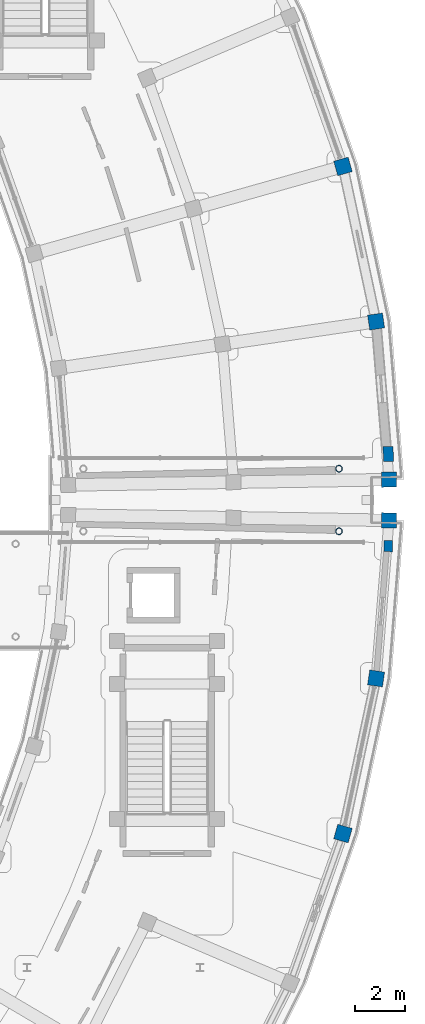
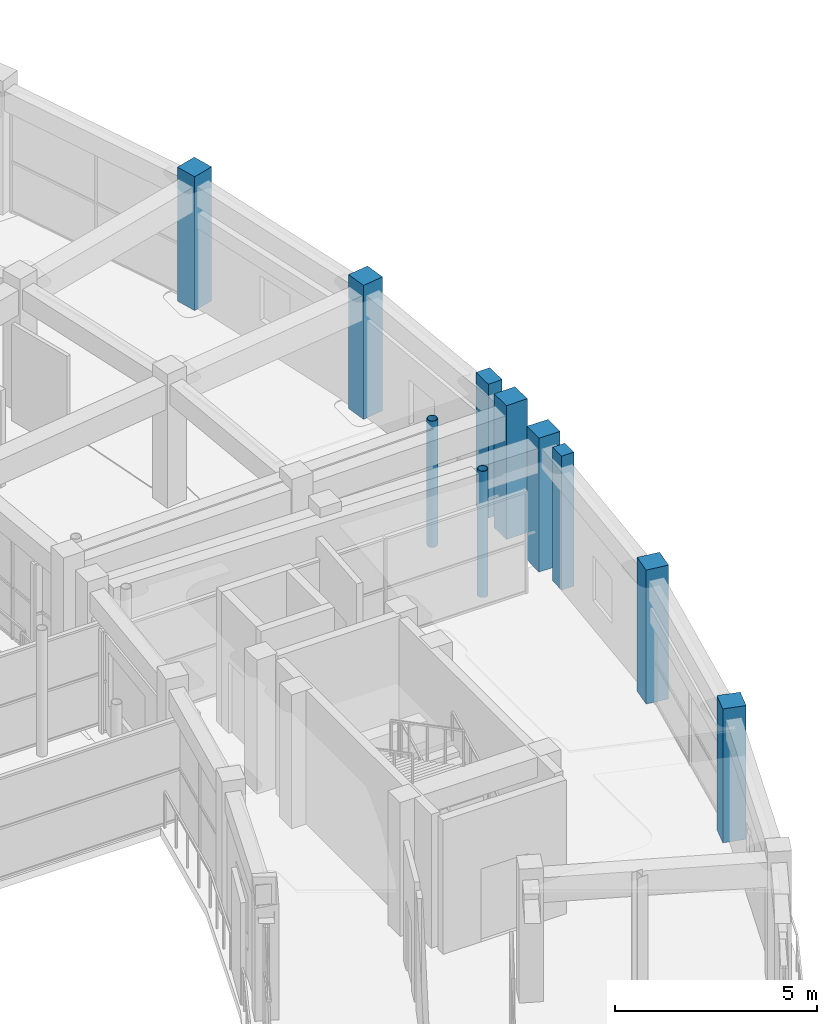
# One storey, part 8 of 72: 10 columns.
"""IFC4 building model written with IfcOpenShell, lengths in metres."""

from ifc_helpers import new_model, si_unit, direction, frame, origin, origin_2d, place, context, subcontext, project, spatial, rectangle, hollow_circle, extrude, material, material_profile, profile_set, type_object, element, save


model = new_model("IFC4")

# Units and contexts
model_context = context("Model", 3, precision=1e-05, world=origin(), true_north=direction((0.0, 1.0)))
body_context = subcontext(model_context, "Body", "Model", "MODEL_VIEW")
ifc_project = project(units=[si_unit("LENGTHUNIT", "METRE"), si_unit("AREAUNIT", "SQUARE_METRE"), si_unit("VOLUMEUNIT", "CUBIC_METRE"), si_unit("PLANEANGLEUNIT", "RADIAN"), si_unit("MASSUNIT", "GRAM", prefix="KILO")], contexts=[model_context])

# Site, building, storey
site_placement = place(None, origin())
site = spatial("IfcSite", under=ifc_project, at=site_placement, CompositionType="ELEMENT")
building_placement = place(site_placement, origin())
building = spatial("IfcBuilding", under=site, at=building_placement, Name="Saryqyr Civic Hall", CompositionType="ELEMENT")
storey_placement = place(building_placement, frame((0.0, 0.0, 17.25)))
storey = spatial("IfcBuildingStorey", under=building, at=storey_placement, Name="L04", CompositionType="ELEMENT", Elevation=17.25)

# Columns
ifc_material_1 = material(Name="Steel S355", Category="steel")
ifc_material_profile_1 = material_profile(ifc_material_1, hollow_circle(Radius=0.136474609375, WallThickness=0.01611328125, at=origin_2d()), Name="CHS 273x16")
ifc_profile_set_1 = profile_set([ifc_material_profile_1], Name="Steel S355")
column_type_1 = type_object("IfcColumnType", Name="STR-COL-CHS273-S355", PredefinedType="COLUMN", material=ifc_profile_set_1)
for number, where, z_axis, x_axis, name in (
    (1, (104.0, 82.75, 0.0), (0.0, 0.0, 1.0), (1.0, 0.0, 0.0), "Column BRCOL-BR-E-2-L04"),
    (2, (104.0, 85.25, 0.0), (0.0, 0.0, 1.0), (1.0, 0.0, 0.0), "Column BRCOL-BR-E-3-L04"),
):
    element("IfcColumn", number, at=place(storey_placement, frame(where, z_axis=z_axis, x_axis=x_axis)), inside=storey, type_object=column_type_1, Name=name, PredefinedType="COLUMN", context=body_context, shape_type="SweptSolid", body=[
        extrude(hollow_circle(Radius=0.136474609375, WallThickness=0.01611328125, at=origin_2d()), origin(), (0.0, 0.0, 1.0), 3.820068359375),
    ])
ifc_material_2 = material(Name="Concrete C40/50", Category="concrete")
ifc_material_profile_2 = material_profile(ifc_material_2, rectangle(XDim=0.60009765625, YDim=0.60009765625, at=origin_2d()), Name="RC 600x600")
ifc_profile_set_2 = profile_set([ifc_material_profile_2], Name="Concrete C40/50")
column_type_2 = type_object("IfcColumnType", Name="STR-COL-RC600-C40", PredefinedType="COLUMN", material=ifc_profile_set_2)
for number, where, z_axis, x_axis, name in (
    (3, (104.157958984375, 70.691162109375, 0.0), (0.0, 0.0, 1.0), (0.962407846499, -0.271608425858, 0.0), "Column V5-COL-OUT08-L04"),
    (4, (105.47998046875, 76.8798828125, 0.0), (0.0, 0.0, 1.0), (0.989374077068, -0.145392350643, 0.0), "Column V5-COL-OUT09-L04"),
    (5, (105.993408203125, 83.1875, 0.0), (0.0, 0.0, 1.0), (0.999862544538, -0.016579868188, 0.0), "Column V5-COL-OUT10-L04"),
    (6, (105.993408203125, 84.8125, 0.0), (0.0, 0.0, 1.0), (0.999862544538, 0.016579868188, 0.0), "Column V6-COL-OUT00-L04"),
    (7, (105.47998046875, 91.1201171875, 0.0), (0.0, 0.0, 1.0), (0.989399437751, 0.145219670077, 0.0), "Column V6-COL-OUT01-L04"),
    (8, (104.157958984375, 97.308837890625, 0.0), (0.0, 0.0, 1.0), (0.962407846499, 0.271608425858, 0.0), "Column V6-COL-OUT02-L04"),
):
    element("IfcColumn", number, at=place(storey_placement, frame(where, z_axis=z_axis, x_axis=x_axis)), inside=storey, type_object=column_type_2, Name=name, PredefinedType="COLUMN", context=body_context, shape_type="SweptSolid", body=[
        extrude(rectangle(XDim=0.60009765625, YDim=0.60009765625, at=origin_2d()), origin(), (0.0, 0.0, 1.0), 4.050048828125),
    ])
ifc_material_3 = material(Name="Concrete C35/45", Category="concrete")
ifc_material_profile_3 = material_profile(ifc_material_3, rectangle(XDim=0.35009765625, YDim=0.449951171875, at=origin_2d()), Name="RC 350x450")
ifc_profile_set_3 = profile_set([ifc_material_profile_3], Name="Concrete C35/45")
column_type_3 = type_object("IfcColumnType", Name="STR-PIL-RC350x450-EXT", PredefinedType="PILASTER", material=ifc_profile_set_3)
column_1_placement = place(storey_placement, frame((105.965576171875, 82.16162109375, 0.0), z_axis=(0.0, 0.0, 1.0), x_axis=(0.999862544538, -0.016579868188, 0.0)))
element("IfcColumn", 9, at=column_1_placement, inside=storey, type_object=column_type_3, Name="Column V5-PIL-10-L04", PredefinedType="PILASTER", context=body_context, shape_type="SweptSolid", body=[
    extrude(rectangle(XDim=0.35009765625, YDim=0.449951171875, at=origin_2d()), origin(), (0.0, 0.0, 1.0), 4.050048828125),
])
ifc_material_profile_4 = material_profile(ifc_material_2, rectangle(XDim=0.39990234375, YDim=0.60009765625, at=origin_2d()), Name="RC 400x600")
ifc_profile_set_4 = profile_set([ifc_material_profile_4], Name="Concrete C40/50")
column_type_4 = type_object("IfcColumnType", Name="STR-PIL-RC400x600-EXT", PredefinedType="PILASTER", material=ifc_profile_set_4)
column_2_placement = place(storey_placement, frame((105.965576171875, 85.83837890625, 0.0), z_axis=(0.0, 0.0, 1.0), x_axis=(0.999862544538, 0.016579868188, 0.0)))
element("IfcColumn", 10, at=column_2_placement, inside=storey, type_object=column_type_4, Name="Column V6-PIL-00-L04", PredefinedType="PILASTER", context=body_context, shape_type="SweptSolid", body=[
    extrude(rectangle(XDim=0.39990234375, YDim=0.60009765625, at=origin_2d()), origin(), (0.0, 0.0, 1.0), 4.050048828125),
])

save(model, "model.ifc")
